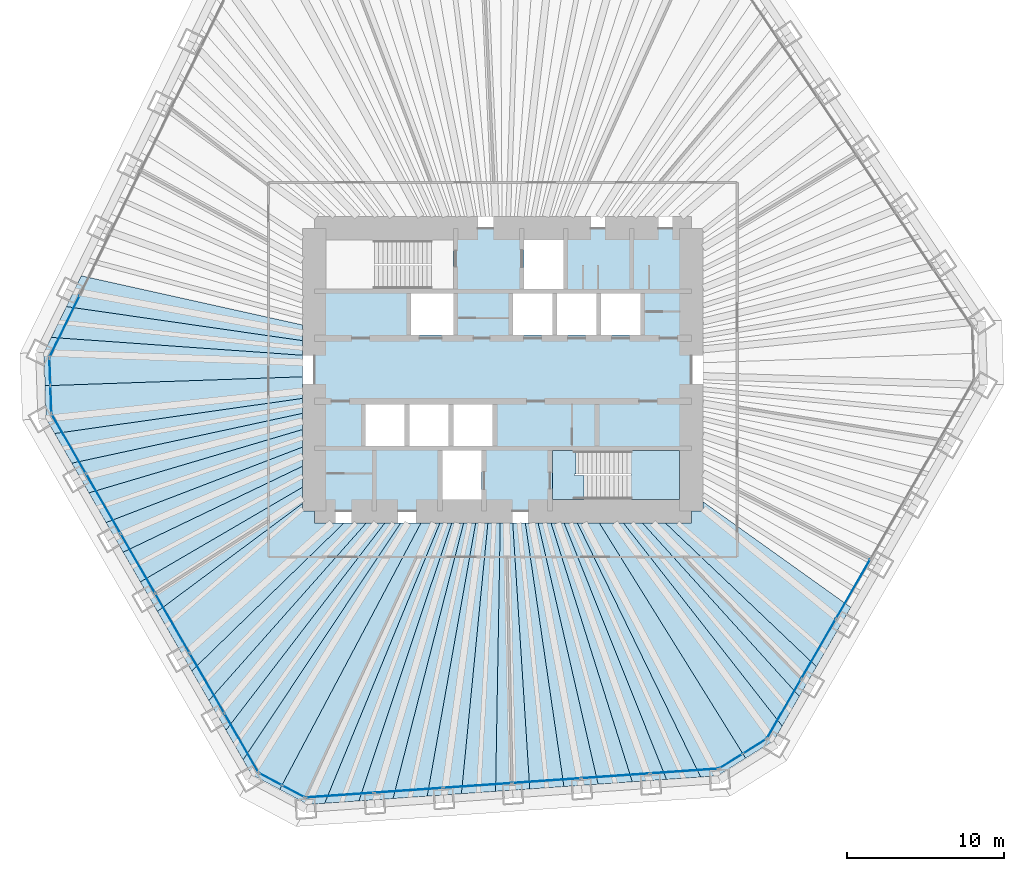
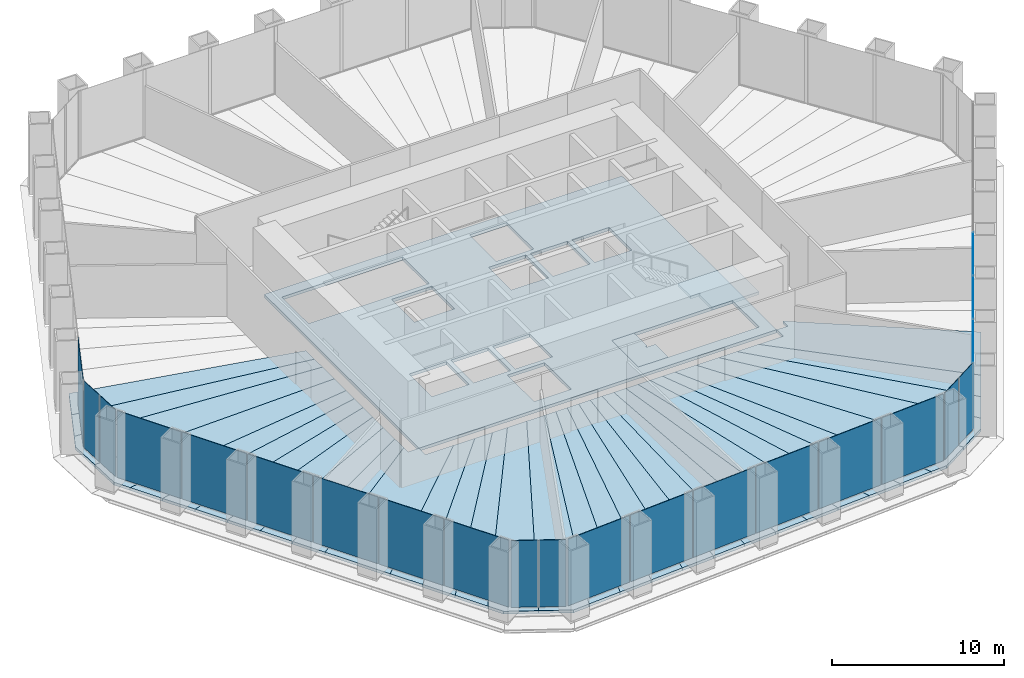
# One storey, part 8 of 14: 35 slabs, 22 plates, 8 elements without a shape of their own.
"""IFC4 building model written with IfcOpenShell, lengths in metres."""

from ifc_helpers import new_model, si_unit, direction, frame, origin, origin_2d, place, context, subcontext, project, spatial, polyline, rectangle, outline, extrude, material, layer, layer_set, type_object, element, aggregate, save


model = new_model("IFC4")

# Units and contexts
model_context = context("Model", 3, precision=1e-05, world=origin(), true_north=direction((0.0, 1.0)))
body_context = subcontext(model_context, "Body", "Model", "MODEL_VIEW")
ifc_project = project(units=[si_unit("LENGTHUNIT", "METRE"), si_unit("AREAUNIT", "SQUARE_METRE"), si_unit("VOLUMEUNIT", "CUBIC_METRE"), si_unit("PLANEANGLEUNIT", "RADIAN"), si_unit("MASSUNIT", "GRAM", prefix="KILO")], contexts=[model_context])

# Site, building, storey
site_placement = place(None, origin())
site = spatial("IfcSite", under=ifc_project, at=site_placement, CompositionType="ELEMENT")
building_placement = place(site_placement, origin())
building = spatial("IfcBuilding", under=site, at=building_placement, Name="Qingtian Harvest Tower", CompositionType="ELEMENT")
storey_placement = place(building_placement, frame((0.0, 0.0, 57.0)))
storey = spatial("IfcBuildingStorey", under=building, at=storey_placement, Name="L11", CompositionType="ELEMENT", Elevation=57.0)

# Slabs
ifc_material_1 = material(Name="Concrete fc' 35 MPa", Category="concrete")
ifc_layer_1 = layer(ifc_material_1, 0.199951171875)
ifc_layer_set_1 = layer_set([ifc_layer_1], Name="Composite floor slab FS20 200")
slab_type_1 = type_object("IfcSlabType", Name="Composite floor slab FS20 200", PredefinedType="FLOOR", material=ifc_layer_set_1)
slab_1_placement = place(storey_placement, frame((0.0, 0.0, -0.199951171875)))
element("IfcSlab", 1, at=slab_1_placement, inside=storey, type_object=slab_type_1, Name="Floor slab L11 panel D01", PredefinedType="FLOOR", context=body_context, shape_type="SweptSolid", body=[
    extrude(outline(polyline([(-29.157470703125, -1.018310546875), (-12.75, -0.447509765625), (-12.75, -1.822998046875), (-28.548583984375, -4.062255859375), (-29.08349609375, -3.135986328125), (-29.157470703125, -1.018310546875)])), origin(), (0.0, 0.0, 1.0), 0.199951171875),
])
slab_2_placement = place(storey_placement, frame((0.0, 0.0, -0.199951171875)))
element("IfcSlab", 2, at=slab_2_placement, inside=storey, type_object=slab_type_1, Name="Floor slab L11 panel D02", PredefinedType="FLOOR", context=body_context, shape_type="SweptSolid", body=[
    extrude(outline(polyline([(-12.75, -2.773681640625), (-27.45751953125, -5.9521484375), (-28.548583984375, -4.062255859375), (-12.75, -1.822998046875), (-12.75, -2.773681640625)])), origin(), (0.0, 0.0, 1.0), 0.199951171875),
])
slab_3_placement = place(storey_placement, frame((0.0, 0.0, -0.199951171875)))
element("IfcSlab", 3, at=slab_3_placement, inside=storey, type_object=slab_type_1, Name="Floor slab L11 panel D03", PredefinedType="FLOOR", context=body_context, shape_type="SweptSolid", body=[
    extrude(outline(polyline([(-12.75, -3.80322265625), (-26.366455078125, -7.842041015625), (-27.45751953125, -5.9521484375), (-12.75, -2.773681640625), (-12.75, -3.80322265625)])), origin(), (0.0, 0.0, 1.0), 0.199951171875),
])
slab_4_placement = place(storey_placement, frame((0.0, 0.0, -0.199951171875)))
element("IfcSlab", 4, at=slab_4_placement, inside=storey, type_object=slab_type_1, Name="Floor slab L11 panel D04", PredefinedType="FLOOR", context=body_context, shape_type="SweptSolid", body=[
    extrude(outline(polyline([(-12.75, -4.921875), (-25.275146484375, -9.732177734375), (-26.366455078125, -7.842041015625), (-12.75, -3.80322265625), (-12.75, -4.921875)])), origin(), (0.0, 0.0, 1.0), 0.199951171875),
])
slab_5_placement = place(storey_placement, frame((0.0, 0.0, -0.199951171875)))
element("IfcSlab", 5, at=slab_5_placement, inside=storey, type_object=slab_type_1, Name="Floor slab L11 panel D05", PredefinedType="FLOOR", context=body_context, shape_type="SweptSolid", body=[
    extrude(outline(polyline([(-12.75, -6.141357421875), (-24.18408203125, -11.6220703125), (-25.275146484375, -9.732177734375), (-12.75, -4.921875), (-12.75, -6.141357421875)])), origin(), (0.0, 0.0, 1.0), 0.199951171875),
])
slab_6_placement = place(storey_placement, frame((0.0, 0.0, -0.199951171875)))
element("IfcSlab", 6, at=slab_6_placement, inside=storey, type_object=slab_type_1, Name="Floor slab L11 panel D06", PredefinedType="FLOOR", context=body_context, shape_type="SweptSolid", body=[
    extrude(outline(polyline([(-12.75, -7.4765625), (-23.0927734375, -13.511962890625), (-24.18408203125, -11.6220703125), (-12.75, -6.141357421875), (-12.75, -7.4765625)])), origin(), (0.0, 0.0, 1.0), 0.199951171875),
])
slab_7_placement = place(storey_placement, frame((0.0, 0.0, -0.199951171875)))
element("IfcSlab", 7, at=slab_7_placement, inside=storey, type_object=slab_type_1, Name="Floor slab L11 panel D07", PredefinedType="FLOOR", context=body_context, shape_type="SweptSolid", body=[
    extrude(outline(polyline([(-12.75, -8.512451171875), (-22.00537109375, -15.3955078125), (-23.0927734375, -13.511962890625), (-12.75, -7.4765625), (-12.75, -8.512451171875)])), origin(), (0.0, 0.0, 1.0), 0.199951171875),
])
slab_8_placement = place(storey_placement, frame((0.0, 0.0, -0.199951171875)))
element("IfcSlab", 8, at=slab_8_placement, inside=storey, type_object=slab_type_1, Name="Floor slab L11 panel D09", PredefinedType="FLOOR", context=body_context, shape_type="SweptSolid", body=[
    extrude(outline(polyline([(-19.81982421875, -19.18115234375), (-22.00537109375, -15.3955078125), (-12.75, -8.512451171875), (-12.75, -9.0), (-12.0, -9.0), (-12.0, -9.75), (-10.1123046875, -9.75), (-19.81982421875, -19.18115234375)])), origin(), (0.0, 0.0, 1.0), 0.199951171875),
])
slab_9_placement = place(storey_placement, frame((0.0, 0.0, -0.199951171875)))
element("IfcSlab", 9, at=slab_9_placement, inside=storey, type_object=slab_type_1, Name="Floor slab L11 panel D10", PredefinedType="FLOOR", context=body_context, shape_type="SweptSolid", body=[
    extrude(outline(polyline([(-8.694580078125, -9.75), (-18.728515625, -21.0712890625), (-19.81982421875, -19.18115234375), (-10.1123046875, -9.75), (-8.694580078125, -9.75)])), origin(), (0.0, 0.0, 1.0), 0.199951171875),
])
slab_10_placement = place(storey_placement, frame((0.0, 0.0, -0.199951171875)))
element("IfcSlab", 10, at=slab_10_placement, inside=storey, type_object=slab_type_1, Name="Floor slab L11 panel D11", PredefinedType="FLOOR", context=body_context, shape_type="SweptSolid", body=[
    extrude(outline(polyline([(-7.511474609375, -9.75), (-17.63720703125, -22.961181640625), (-18.728515625, -21.0712890625), (-8.694580078125, -9.75), (-7.511474609375, -9.75)])), origin(), (0.0, 0.0, 1.0), 0.199951171875),
])
slab_11_placement = place(storey_placement, frame((0.0, 0.0, -0.199951171875)))
element("IfcSlab", 11, at=slab_11_placement, inside=storey, type_object=slab_type_1, Name="Floor slab L11 panel D12", PredefinedType="FLOOR", context=body_context, shape_type="SweptSolid", body=[
    extrude(outline(polyline([(-6.509033203125, -9.75), (-16.546142578125, -24.851318359375), (-17.63720703125, -22.961181640625), (-7.511474609375, -9.75), (-6.509033203125, -9.75)])), origin(), (0.0, 0.0, 1.0), 0.199951171875),
])
slab_12_placement = place(storey_placement, frame((0.0, 0.0, -0.199951171875)))
element("IfcSlab", 12, at=slab_12_placement, inside=storey, type_object=slab_type_1, Name="Floor slab L11 panel D13", PredefinedType="FLOOR", context=body_context, shape_type="SweptSolid", body=[
    extrude(outline(polyline([(-6.509033203125, -9.75), (-5.213623046875, -9.75), (-14.214599609375, -26.73291015625), (-16.01123046875, -25.777587890625), (-16.546142578125, -24.851318359375), (-6.509033203125, -9.75)])), origin(), (0.0, 0.0, 1.0), 0.199951171875),
])
slab_13_placement = place(storey_placement, frame((0.0, 0.0, -0.199951171875)))
element("IfcSlab", 13, at=slab_13_placement, inside=storey, type_object=slab_type_1, Name="Floor slab L11 panel D14", PredefinedType="FLOOR", context=body_context, shape_type="SweptSolid", body=[
    extrude(outline(polyline([(-5.213623046875, -9.75), (-4.006591796875, -9.75), (-11.350341796875, -27.614013671875), (-12.417236328125, -27.688720703125), (-14.214599609375, -26.73291015625), (-5.213623046875, -9.75)])), origin(), (0.0, 0.0, 1.0), 0.199951171875),
])
slab_14_placement = place(storey_placement, frame((0.0, 0.0, -0.199951171875)))
element("IfcSlab", 14, at=slab_14_placement, inside=storey, type_object=slab_type_1, Name="Floor slab L11 panel D15", PredefinedType="FLOOR", context=body_context, shape_type="SweptSolid", body=[
    extrude(outline(polyline([(-3.255859375, -9.75), (-9.17333984375, -27.4619140625), (-11.350341796875, -27.614013671875), (-4.006591796875, -9.75), (-3.255859375, -9.75)])), origin(), (0.0, 0.0, 1.0), 0.199951171875),
])
slab_15_placement = place(storey_placement, frame((0.0, 0.0, -0.199951171875)))
element("IfcSlab", 15, at=slab_15_placement, inside=storey, type_object=slab_type_1, Name="Floor slab L11 panel D16", PredefinedType="FLOOR", context=body_context, shape_type="SweptSolid", body=[
    extrude(outline(polyline([(-2.496826171875, -9.75), (-6.996337890625, -27.3095703125), (-9.17333984375, -27.4619140625), (-3.255859375, -9.75), (-2.496826171875, -9.75)])), origin(), (0.0, 0.0, 1.0), 0.199951171875),
])
slab_16_placement = place(storey_placement, frame((0.0, 0.0, -0.199951171875)))
element("IfcSlab", 16, at=slab_16_placement, inside=storey, type_object=slab_type_1, Name="Floor slab L11 panel D17", PredefinedType="FLOOR", context=body_context, shape_type="SweptSolid", body=[
    extrude(outline(polyline([(-1.729248046875, -9.75), (-4.8193359375, -27.1572265625), (-6.996337890625, -27.3095703125), (-2.496826171875, -9.75), (-1.729248046875, -9.75)])), origin(), (0.0, 0.0, 1.0), 0.199951171875),
])
slab_17_placement = place(storey_placement, frame((0.0, 0.0, -0.199951171875)))
element("IfcSlab", 17, at=slab_17_placement, inside=storey, type_object=slab_type_1, Name="Floor slab L11 panel D18", PredefinedType="FLOOR", context=body_context, shape_type="SweptSolid", body=[
    extrude(outline(polyline([(-0.952880859375, -9.75), (-2.642333984375, -27.005126953125), (-4.8193359375, -27.1572265625), (-1.729248046875, -9.75), (-0.952880859375, -9.75)])), origin(), (0.0, 0.0, 1.0), 0.199951171875),
])
slab_18_placement = place(storey_placement, frame((0.0, 0.0, -0.199951171875)))
element("IfcSlab", 18, at=slab_18_placement, inside=storey, type_object=slab_type_1, Name="Floor slab L11 panel D19", PredefinedType="FLOOR", context=body_context, shape_type="SweptSolid", body=[
    extrude(outline(polyline([(-0.16796875, -9.75), (-0.46533203125, -26.852783203125), (-2.642333984375, -27.005126953125), (-0.952880859375, -9.75), (-0.16796875, -9.75)])), origin(), (0.0, 0.0, 1.0), 0.199951171875),
])
slab_19_placement = place(storey_placement, frame((0.0, 0.0, -0.199951171875)))
element("IfcSlab", 19, at=slab_19_placement, inside=storey, type_object=slab_type_1, Name="Floor slab L11 panel D20", PredefinedType="FLOOR", context=body_context, shape_type="SweptSolid", body=[
    extrude(outline(polyline([(0.626220703125, -9.75), (1.711669921875, -26.70068359375), (-0.46533203125, -26.852783203125), (-0.16796875, -9.75), (0.626220703125, -9.75)])), origin(), (0.0, 0.0, 1.0), 0.199951171875),
])
slab_20_placement = place(storey_placement, frame((0.0, 0.0, -0.199951171875)))
element("IfcSlab", 20, at=slab_20_placement, inside=storey, type_object=slab_type_1, Name="Floor slab L11 panel D21", PredefinedType="FLOOR", context=body_context, shape_type="SweptSolid", body=[
    extrude(outline(polyline([(1.42919921875, -9.75), (3.888671875, -26.54833984375), (1.711669921875, -26.70068359375), (0.626220703125, -9.75), (1.42919921875, -9.75)])), origin(), (0.0, 0.0, 1.0), 0.199951171875),
])
slab_21_placement = place(storey_placement, frame((0.0, 0.0, -0.199951171875)))
element("IfcSlab", 21, at=slab_21_placement, inside=storey, type_object=slab_type_1, Name="Floor slab L11 panel D22", PredefinedType="FLOOR", context=body_context, shape_type="SweptSolid", body=[
    extrude(outline(polyline([(2.24169921875, -9.75), (6.065673828125, -26.396240234375), (3.888671875, -26.54833984375), (1.42919921875, -9.75), (2.24169921875, -9.75)])), origin(), (0.0, 0.0, 1.0), 0.199951171875),
])
slab_22_placement = place(storey_placement, frame((0.0, 0.0, -0.199951171875)))
element("IfcSlab", 22, at=slab_22_placement, inside=storey, type_object=slab_type_1, Name="Floor slab L11 panel D23", PredefinedType="FLOOR", context=body_context, shape_type="SweptSolid", body=[
    extrude(outline(polyline([(3.0634765625, -9.75), (8.24267578125, -26.243896484375), (6.065673828125, -26.396240234375), (2.24169921875, -9.75), (3.0634765625, -9.75)])), origin(), (0.0, 0.0, 1.0), 0.199951171875),
])
slab_23_placement = place(storey_placement, frame((0.0, 0.0, -0.199951171875)))
element("IfcSlab", 23, at=slab_23_placement, inside=storey, type_object=slab_type_1, Name="Floor slab L11 panel D24", PredefinedType="FLOOR", context=body_context, shape_type="SweptSolid", body=[
    extrude(outline(polyline([(3.894775390625, -9.75), (10.419677734375, -26.091796875), (8.24267578125, -26.243896484375), (3.0634765625, -9.75), (3.894775390625, -9.75)])), origin(), (0.0, 0.0, 1.0), 0.199951171875),
])
slab_24_placement = place(storey_placement, frame((0.0, 0.0, -0.199951171875)))
element("IfcSlab", 24, at=slab_24_placement, inside=storey, type_object=slab_type_1, Name="Floor slab L11 panel D25", PredefinedType="FLOOR", context=body_context, shape_type="SweptSolid", body=[
    extrude(outline(polyline([(4.736083984375, -9.75), (12.5966796875, -25.939453125), (10.419677734375, -26.091796875), (3.894775390625, -9.75), (4.736083984375, -9.75)])), origin(), (0.0, 0.0, 1.0), 0.199951171875),
])
slab_25_placement = place(storey_placement, frame((0.0, 0.0, -0.199951171875)))
element("IfcSlab", 25, at=slab_25_placement, inside=storey, type_object=slab_type_1, Name="Floor slab L11 panel D26", PredefinedType="FLOOR", context=body_context, shape_type="SweptSolid", body=[
    extrude(outline(polyline([(4.736083984375, -9.75), (6.136474609375, -9.75), (15.4609375, -24.74169921875), (13.663330078125, -25.864990234375), (12.5966796875, -25.939453125), (4.736083984375, -9.75)])), origin(), (0.0, 0.0, 1.0), 0.199951171875),
])
slab_26_placement = place(storey_placement, frame((0.0, 0.0, -0.199951171875)))
element("IfcSlab", 26, at=slab_26_placement, inside=storey, type_object=slab_type_1, Name="Floor slab L11 panel D27", PredefinedType="FLOOR", context=body_context, shape_type="SweptSolid", body=[
    extrude(outline(polyline([(6.136474609375, -9.75), (7.66748046875, -9.75), (17.79248046875, -22.692626953125), (17.257568359375, -23.618896484375), (15.4609375, -24.74169921875), (6.136474609375, -9.75)])), origin(), (0.0, 0.0, 1.0), 0.199951171875),
])
slab_27_placement = place(storey_placement, frame((0.0, 0.0, -0.199951171875)))
element("IfcSlab", 27, at=slab_27_placement, inside=storey, type_object=slab_type_1, Name="Floor slab L11 panel D28", PredefinedType="FLOOR", context=body_context, shape_type="SweptSolid", body=[
    extrude(outline(polyline([(8.88037109375, -9.75), (18.883544921875, -20.802734375), (17.79248046875, -22.692626953125), (7.66748046875, -9.75), (8.88037109375, -9.75)])), origin(), (0.0, 0.0, 1.0), 0.199951171875),
])
slab_28_placement = place(storey_placement, frame((0.0, 0.0, -0.199951171875)))
element("IfcSlab", 28, at=slab_28_placement, inside=storey, type_object=slab_type_1, Name="Floor slab L11 panel D29", PredefinedType="FLOOR", context=body_context, shape_type="SweptSolid", body=[
    extrude(outline(polyline([(10.337158203125, -9.75), (19.974853515625, -18.91259765625), (18.883544921875, -20.802734375), (8.88037109375, -9.75), (10.337158203125, -9.75)])), origin(), (0.0, 0.0, 1.0), 0.199951171875),
])
slab_29_placement = place(storey_placement, frame((0.0, 0.0, -0.199951171875)))
element("IfcSlab", 29, at=slab_29_placement, inside=storey, type_object=slab_type_1, Name="Floor slab L11 panel D31", PredefinedType="FLOOR", context=body_context, shape_type="SweptSolid", body=[
    extrude(outline(polyline([(12.75, -8.4091796875), (22.159423828125, -15.128662109375), (19.974853515625, -18.91259765625), (10.337158203125, -9.75), (12.0, -9.75), (12.0, -9.0), (12.75, -9.0), (12.75, -8.4091796875)])), origin(), (0.0, 0.0, 1.0), 0.199951171875),
])
slab_30_placement = place(storey_placement, frame((0.0, 0.0, -0.199951171875)))
element("IfcSlab", 30, at=slab_30_placement, inside=storey, type_object=slab_type_1, Name="Floor slab L11 panel D76", PredefinedType="FLOOR", context=body_context, shape_type="SweptSolid", body=[
    extrude(outline(polyline([(-12.75, 1.8525390625), (-27.805908203125, 4.022216796875), (-26.84912109375, 5.98388671875), (-12.75, 2.8505859375), (-12.75, 1.8525390625)])), origin(), (0.0, 0.0, 1.0), 0.199951171875),
])
slab_31_placement = place(storey_placement, frame((0.0, 0.0, -0.199951171875)))
element("IfcSlab", 31, at=slab_31_placement, inside=storey, type_object=slab_type_1, Name="Floor slab L11 panel D77", PredefinedType="FLOOR", context=body_context, shape_type="SweptSolid", body=[
    extrude(outline(polyline([(-12.75, 0.9208984375), (-28.762451171875, 2.060791015625), (-27.805908203125, 4.022216796875), (-12.75, 1.8525390625), (-12.75, 0.9208984375)])), origin(), (0.0, 0.0, 1.0), 0.199951171875),
])
slab_32_placement = place(storey_placement, frame((0.0, 0.0, -0.199951171875)))
element("IfcSlab", 32, at=slab_32_placement, inside=storey, type_object=slab_type_1, Name="Floor slab L11 panel D78", PredefinedType="FLOOR", context=body_context, shape_type="SweptSolid", body=[
    extrude(outline(polyline([(-12.75, 0.9208984375), (-12.75, -0.447509765625), (-29.157470703125, -1.018310546875), (-29.2314453125, 1.099609375), (-28.762451171875, 2.060791015625), (-12.75, 0.9208984375)])), origin(), (0.0, 0.0, 1.0), 0.199951171875),
])
ifc_material_2 = material(Name="Concrete fc' 35 MPa", Category="concrete")
ifc_layer_2 = layer(ifc_material_2, 0.219970703125)
ifc_layer_set_2 = layer_set([ifc_layer_2], Name="Core floor slab CS22 220")
slab_type_2 = type_object("IfcSlabType", Name="Core floor slab CS22 220", PredefinedType="FLOOR", material=ifc_layer_set_2)
slab_33_placement = place(storey_placement, frame((0.0, 0.0, -0.219970703125)))
element("IfcSlab", 33, at=slab_33_placement, inside=storey, type_object=slab_type_2, Name="Core floor slab L11", PredefinedType="FLOOR", context=body_context, shape_type="SweptSolid", body=[
    extrude(outline(polyline([(-12.0, -9.0), (12.0, -9.0), (12.0, 9.0), (-12.0, 9.0), (-12.0, -9.0)]), holes=[polyline([(-11.25, 5.14990234375), (-3.14990234375, 5.14990234375), (-3.14990234375, 8.25), (-11.25, 8.25), (-11.25, 5.14990234375)]), polyline([(3.14990234375, -8.25), (11.25, -8.25), (11.25, -5.14990234375), (3.14990234375, -5.14990234375), (3.14990234375, -8.25)]), polyline([(1.35009765625, 5.14990234375), (3.85009765625, 5.14990234375), (3.85009765625, 8.25), (1.35009765625, 8.25), (1.35009765625, 5.14990234375)]), polyline([(-3.85009765625, -8.25), (-1.35009765625, -8.25), (-1.35009765625, -5.14990234375), (-3.85009765625, -5.14990234375), (-3.85009765625, -8.25)]), polyline([(-5.85009765625, 2.199951171875), (-3.14990234375, 2.199951171875), (-3.14990234375, 4.85009765625), (-5.85009765625, 4.85009765625), (-5.85009765625, 2.199951171875)]), polyline([(0.64990234375, 2.199951171875), (3.14990234375, 2.199951171875), (3.14990234375, 4.85009765625), (0.64990234375, 4.85009765625), (0.64990234375, 2.199951171875)]), polyline([(3.449951171875, 2.199951171875), (5.949951171875, 2.199951171875), (5.949951171875, 4.85009765625), (3.449951171875, 4.85009765625), (3.449951171875, 2.199951171875)]), polyline([(6.25, 2.199951171875), (8.75, 2.199951171875), (8.75, 4.85009765625), (6.25, 4.85009765625), (6.25, 2.199951171875)]), polyline([(-8.75, -4.85009765625), (-6.25, -4.85009765625), (-6.25, -2.199951171875), (-8.75, -2.199951171875), (-8.75, -4.85009765625)]), polyline([(-5.949951171875, -4.85009765625), (-3.449951171875, -4.85009765625), (-3.449951171875, -2.199951171875), (-5.949951171875, -2.199951171875), (-5.949951171875, -4.85009765625)]), polyline([(-3.14990234375, -4.85009765625), (-0.64990234375, -4.85009765625), (-0.64990234375, -2.199951171875), (-3.14990234375, -2.199951171875), (-3.14990234375, -4.85009765625)])]), origin(), (0.0, 0.0, 1.0), 0.219970703125),
])

# Curtain wall, plates
ifc_material_3 = material(Name="Bronze-anodised aluminium curtain wall", Category="aluminium")
curtain_wall_type = type_object("IfcCurtainWallType", Name="Curtain wall CW2 farm reception", PredefinedType="USERDEFINED", material=ifc_material_3)
curtain_wall_1_placement = place(storey_placement, origin())
curtain_wall_1 = element("IfcCurtainWall", 34, at=curtain_wall_1_placement, inside=storey, type_object=curtain_wall_type, Name="Curtain wall CW2 L11 SE0-5", ObjectType="RECESSED CURTAIN WALL", PredefinedType="USERDEFINED")
ifc_material_4 = material(Name="Bronze-tinted laminated insulating glass", Category="glass")
ifc_layer_3 = layer(ifc_material_4, 0.030029296875)
ifc_layer_set_3 = layer_set([ifc_layer_3], Name="Glazed panel CWP tinted IGU")
plate_type = type_object("IfcPlateType", Name="Glazed panel CWP tinted IGU", PredefinedType="CURTAIN_PANEL", material=ifc_layer_set_3)
plate_1_placement = place(storey_placement, frame((22.30419921875, -13.968017578125, 0.06494140625), z_axis=(0.0, 0.0, 1.0), x_axis=(-0.5, -0.866025403784, 0.0)))
plate_1 = element("IfcPlate", 35, at=plate_1_placement, type_object=plate_type, Name="CW2 panel 4.1", PredefinedType="CURTAIN_PANEL", context=body_context, shape_type="SweptSolid", body=[
    extrude(rectangle(XDim=4.339599609375, YDim=0.030029296875, at=origin_2d()), origin(), (0.0, 0.0, 1.0), 4.735107421875),
])
plate_2_placement = place(storey_placement, frame((20.101806640625, -17.782470703125, 0.06494140625), z_axis=(0.0, 0.0, 1.0), x_axis=(-0.5, -0.866025403784, 0.0)))
plate_2 = element("IfcPlate", 36, at=plate_2_placement, type_object=plate_type, Name="CW2 panel 5.1", PredefinedType="CURTAIN_PANEL", context=body_context, shape_type="SweptSolid", body=[
    extrude(rectangle(XDim=4.339599609375, YDim=0.030029296875, at=origin_2d()), origin(), (0.0, 0.0, 1.0), 4.735107421875),
])
plate_3_placement = place(storey_placement, frame((17.90771484375, -21.5830078125, 0.06494140625), z_axis=(0.0, 0.0, 1.0), x_axis=(-0.5, -0.866025403784, 0.0)))
plate_3 = element("IfcPlate", 37, at=plate_3_placement, type_object=plate_type, Name="CW2 panel 6.1", PredefinedType="CURTAIN_PANEL", context=body_context, shape_type="SweptSolid", body=[
    extrude(rectangle(XDim=4.30712890625, YDim=0.030029296875, at=origin_2d()), origin(), (0.0, 0.0, 1.0), 4.735107421875),
])
aggregate(curtain_wall_1, [plate_1, plate_2, plate_3])

curtain_wall_2_placement = place(storey_placement, origin())
curtain_wall_2 = element("IfcCurtainWall", 38, at=curtain_wall_2_placement, inside=storey, type_object=curtain_wall_type, Name="Curtain wall CW2 L11 SEC", ObjectType="RECESSED CURTAIN WALL", PredefinedType="USERDEFINED")
plate_4_placement = place(storey_placement, frame((16.025390625, -23.9873046875, 0.06494140625), z_axis=(0.0, 0.0, 1.0), x_axis=(-0.848048096156, -0.529919264233, 0.0)))
plate_4 = element("IfcPlate", 39, at=plate_4_placement, type_object=plate_type, Name="CW2 panel 1.1", PredefinedType="CURTAIN_PANEL", context=body_context, shape_type="SweptSolid", body=[
    extrude(rectangle(XDim=1.69287109375, YDim=0.030029296875, at=origin_2d()), origin(), (0.0, 0.0, 1.0), 4.735107421875),
])
plate_5_placement = place(storey_placement, frame((14.53466796875, -24.9189453125, 0.06494140625), z_axis=(0.0, 0.0, 1.0), x_axis=(-0.848048096156, -0.529919264233, 0.0)))
plate_5 = element("IfcPlate", 40, at=plate_5_placement, type_object=plate_type, Name="CW2 panel 2.1", PredefinedType="CURTAIN_PANEL", context=body_context, shape_type="SweptSolid", body=[
    extrude(rectangle(XDim=1.69287109375, YDim=0.030029296875, at=origin_2d()), origin(), (0.0, 0.0, 1.0), 4.735107421875),
])
aggregate(curtain_wall_2, [plate_4, plate_5])

curtain_wall_3_placement = place(storey_placement, origin())
curtain_wall_3 = element("IfcCurtainWall", 41, at=curtain_wall_3_placement, inside=storey, type_object=curtain_wall_type, Name="Curtain wall CW2 L11 S0-5", ObjectType="RECESSED CURTAIN WALL", PredefinedType="USERDEFINED")
plate_6_placement = place(storey_placement, frame((11.548583984375, -25.556640625, 0.06494140625), z_axis=(0.0, 0.0, 1.0), x_axis=(-0.99756405026, -0.069756473744, 0.0)))
plate_6 = element("IfcPlate", 42, at=plate_6_placement, type_object=plate_type, Name="CW2 panel 1.1", PredefinedType="CURTAIN_PANEL", context=body_context, shape_type="SweptSolid", body=[
    extrude(rectangle(XDim=4.30712890625, YDim=0.030029296875, at=origin_2d()), origin(), (0.0, 0.0, 1.0), 4.735107421875),
])
plate_7_placement = place(storey_placement, frame((7.1708984375, -25.86279296875, 0.06494140625), z_axis=(0.0, 0.0, 1.0), x_axis=(-0.99756405026, -0.069756473744, 0.0)))
plate_7 = element("IfcPlate", 43, at=plate_7_placement, type_object=plate_type, Name="CW2 panel 2.1", PredefinedType="CURTAIN_PANEL", context=body_context, shape_type="SweptSolid", body=[
    extrude(rectangle(XDim=4.339599609375, YDim=0.030029296875, at=origin_2d()), origin(), (0.0, 0.0, 1.0), 4.735107421875),
])
plate_8_placement = place(storey_placement, frame((2.77685546875, -26.169921875, 0.06494140625), z_axis=(0.0, 0.0, 1.0), x_axis=(-0.99756405026, -0.069756473744, 0.0)))
plate_8 = element("IfcPlate", 44, at=plate_8_placement, type_object=plate_type, Name="CW2 panel 3.1", PredefinedType="CURTAIN_PANEL", context=body_context, shape_type="SweptSolid", body=[
    extrude(rectangle(XDim=4.339599609375, YDim=0.030029296875, at=origin_2d()), origin(), (0.0, 0.0, 1.0), 4.735107421875),
])
plate_9_placement = place(storey_placement, frame((-1.616943359375, -26.477294921875, 0.06494140625), z_axis=(0.0, 0.0, 1.0), x_axis=(-0.99756405026, -0.069756473744, 0.0)))
plate_9 = element("IfcPlate", 45, at=plate_9_placement, type_object=plate_type, Name="CW2 panel 4.1", PredefinedType="CURTAIN_PANEL", context=body_context, shape_type="SweptSolid", body=[
    extrude(rectangle(XDim=4.339599609375, YDim=0.030029296875, at=origin_2d()), origin(), (0.0, 0.0, 1.0), 4.735107421875),
])
plate_10_placement = place(storey_placement, frame((-6.0107421875, -26.784423828125, 0.06494140625), z_axis=(0.0, 0.0, 1.0), x_axis=(-0.99756405026, -0.069756473744, 0.0)))
plate_10 = element("IfcPlate", 46, at=plate_10_placement, type_object=plate_type, Name="CW2 panel 5.1", PredefinedType="CURTAIN_PANEL", context=body_context, shape_type="SweptSolid", body=[
    extrude(rectangle(XDim=4.339599609375, YDim=0.030029296875, at=origin_2d()), origin(), (0.0, 0.0, 1.0), 4.735107421875),
])
plate_11_placement = place(storey_placement, frame((-10.388427734375, -27.090576171875, 0.06494140625), z_axis=(0.0, 0.0, 1.0), x_axis=(-0.99756405026, -0.069756473744, 0.0)))
plate_11 = element("IfcPlate", 47, at=plate_11_placement, type_object=plate_type, Name="CW2 panel 6.1", PredefinedType="CURTAIN_PANEL", context=body_context, shape_type="SweptSolid", body=[
    extrude(rectangle(XDim=4.30712890625, YDim=0.030029296875, at=origin_2d()), origin(), (0.0, 0.0, 1.0), 4.735107421875),
])
aggregate(curtain_wall_3, [plate_6, plate_7, plate_8, plate_9, plate_10, plate_11])

curtain_wall_4_placement = place(storey_placement, origin())
curtain_wall_4 = element("IfcCurtainWall", 48, at=curtain_wall_4_placement, inside=storey, type_object=curtain_wall_type, Name="Curtain wall CW2 L11 SC", ObjectType="RECESSED CURTAIN WALL", PredefinedType="USERDEFINED")
plate_12_placement = place(storey_placement, frame((-13.350830078125, -26.84716796875, 0.06494140625), z_axis=(0.0, 0.0, 1.0), x_axis=(-0.882947592859, 0.469471562786, 0.0)))
plate_12 = element("IfcPlate", 49, at=plate_12_placement, type_object=plate_type, Name="CW2 panel 1.1", PredefinedType="CURTAIN_PANEL", context=body_context, shape_type="SweptSolid", body=[
    extrude(rectangle(XDim=1.56689453125, YDim=0.030029296875, at=origin_2d()), origin(), (0.0, 0.0, 1.0), 4.735107421875),
])
plate_13_placement = place(storey_placement, frame((-14.79150390625, -26.0810546875, 0.06494140625), z_axis=(0.0, 0.0, 1.0), x_axis=(-0.882947592859, 0.469471562786, 0.0)))
plate_13 = element("IfcPlate", 50, at=plate_13_placement, type_object=plate_type, Name="CW2 panel 2.1", PredefinedType="CURTAIN_PANEL", context=body_context, shape_type="SweptSolid", body=[
    extrude(rectangle(XDim=1.56689453125, YDim=0.030029296875, at=origin_2d()), origin(), (0.0, 0.0, 1.0), 4.735107421875),
])
aggregate(curtain_wall_4, [plate_12, plate_13])

curtain_wall_5_placement = place(storey_placement, origin())
curtain_wall_5 = element("IfcCurtainWall", 51, at=curtain_wall_5_placement, inside=storey, type_object=curtain_wall_type, Name="Curtain wall CW2 L11 SW0-5", ObjectType="RECESSED CURTAIN WALL", PredefinedType="USERDEFINED")
plate_14_placement = place(storey_placement, frame((-16.64990234375, -23.76123046875, 0.06494140625), z_axis=(0.0, 0.0, 1.0), x_axis=(-0.5, 0.866025403784, 0.0)))
plate_14 = element("IfcPlate", 52, at=plate_14_placement, type_object=plate_type, Name="CW2 panel 1.1", PredefinedType="CURTAIN_PANEL", context=body_context, shape_type="SweptSolid", body=[
    extrude(rectangle(XDim=4.30712890625, YDim=0.030029296875, at=origin_2d()), origin(), (0.0, 0.0, 1.0), 4.735107421875),
])
plate_15_placement = place(storey_placement, frame((-18.84423828125, -19.9609375, 0.06494140625), z_axis=(0.0, 0.0, 1.0), x_axis=(-0.5, 0.866025403784, 0.0)))
plate_15 = element("IfcPlate", 53, at=plate_15_placement, type_object=plate_type, Name="CW2 panel 2.1", PredefinedType="CURTAIN_PANEL", context=body_context, shape_type="SweptSolid", body=[
    extrude(rectangle(XDim=4.339599609375, YDim=0.030029296875, at=origin_2d()), origin(), (0.0, 0.0, 1.0), 4.735107421875),
])
plate_16_placement = place(storey_placement, frame((-21.04638671875, -16.146484375, 0.06494140625), z_axis=(0.0, 0.0, 1.0), x_axis=(-0.5, 0.866025403784, 0.0)))
plate_16 = element("IfcPlate", 54, at=plate_16_placement, type_object=plate_type, Name="CW2 panel 3.1", PredefinedType="CURTAIN_PANEL", context=body_context, shape_type="SweptSolid", body=[
    extrude(rectangle(XDim=4.339599609375, YDim=0.030029296875, at=origin_2d()), origin(), (0.0, 0.0, 1.0), 4.735107421875),
])
plate_17_placement = place(storey_placement, frame((-23.248779296875, -12.33203125, 0.06494140625), z_axis=(0.0, 0.0, 1.0), x_axis=(-0.5, 0.866025403784, 0.0)))
plate_17 = element("IfcPlate", 55, at=plate_17_placement, type_object=plate_type, Name="CW2 panel 4.1", PredefinedType="CURTAIN_PANEL", context=body_context, shape_type="SweptSolid", body=[
    extrude(rectangle(XDim=4.339599609375, YDim=0.030029296875, at=origin_2d()), origin(), (0.0, 0.0, 1.0), 4.735107421875),
])
plate_18_placement = place(storey_placement, frame((-25.451171875, -8.517333984375, 0.06494140625), z_axis=(0.0, 0.0, 1.0), x_axis=(-0.5, 0.866025403784, 0.0)))
plate_18 = element("IfcPlate", 56, at=plate_18_placement, type_object=plate_type, Name="CW2 panel 5.1", PredefinedType="CURTAIN_PANEL", context=body_context, shape_type="SweptSolid", body=[
    extrude(rectangle(XDim=4.339599609375, YDim=0.030029296875, at=origin_2d()), origin(), (0.0, 0.0, 1.0), 4.735107421875),
])
plate_19_placement = place(storey_placement, frame((-27.645263671875, -4.717041015625, 0.06494140625), z_axis=(0.0, 0.0, 1.0), x_axis=(-0.5, 0.866025403784, 0.0)))
plate_19 = element("IfcPlate", 57, at=plate_19_placement, type_object=plate_type, Name="CW2 panel 6.1", PredefinedType="CURTAIN_PANEL", context=body_context, shape_type="SweptSolid", body=[
    extrude(rectangle(XDim=4.30712890625, YDim=0.030029296875, at=origin_2d()), origin(), (0.0, 0.0, 1.0), 4.735107421875),
])
aggregate(curtain_wall_5, [plate_14, plate_15, plate_16, plate_17, plate_18, plate_19])

curtain_wall_6_placement = place(storey_placement, origin())
curtain_wall_6 = element("IfcCurtainWall", 58, at=curtain_wall_6_placement, inside=storey, type_object=curtain_wall_type, Name="Curtain wall CW2 L11 SWC", ObjectType="RECESSED CURTAIN WALL", PredefinedType="USERDEFINED")
plate_20_placement = place(storey_placement, frame((-28.786376953125, -1.884765625, 0.06494140625), z_axis=(0.0, 0.0, 1.0), x_axis=(-0.034899496703, 0.999390827019, 0.0)))
plate_20 = element("IfcPlate", 59, at=plate_20_placement, type_object=plate_type, Name="CW2 panel 1.1", PredefinedType="CURTAIN_PANEL", context=body_context, shape_type="SweptSolid", body=[
    extrude(rectangle(XDim=1.69287109375, YDim=0.030029296875, at=origin_2d()), origin(), (0.0, 0.0, 1.0), 4.735107421875),
])
plate_21_placement = place(storey_placement, frame((-28.84765625, -0.1279296875, 0.06494140625), z_axis=(0.0, 0.0, 1.0), x_axis=(-0.034899496703, 0.999390827019, 0.0)))
plate_21 = element("IfcPlate", 60, at=plate_21_placement, type_object=plate_type, Name="CW2 panel 2.1", PredefinedType="CURTAIN_PANEL", context=body_context, shape_type="SweptSolid", body=[
    extrude(rectangle(XDim=1.69287109375, YDim=0.030029296875, at=origin_2d()), origin(), (0.0, 0.0, 1.0), 4.735107421875),
])
aggregate(curtain_wall_6, [plate_20, plate_21])

# Curtain wall, plate
curtain_wall_7_placement = place(storey_placement, origin())
curtain_wall_7 = element("IfcCurtainWall", 61, at=curtain_wall_7_placement, inside=storey, type_object=curtain_wall_type, Name="Curtain wall CW2 L11 NW0-5", ObjectType="RECESSED CURTAIN WALL", PredefinedType="USERDEFINED")
plate_22_placement = place(storey_placement, frame((-27.906982421875, 2.777099609375, 0.06494140625), z_axis=(0.0, 0.0, 1.0), x_axis=(0.438371146789, 0.898794046299, 0.0)))
plate_22 = element("IfcPlate", 62, at=plate_22_placement, type_object=plate_type, Name="CW2 panel 1.1", PredefinedType="CURTAIN_PANEL", context=body_context, shape_type="SweptSolid", body=[
    extrude(rectangle(XDim=4.30712890625, YDim=0.030029296875, at=origin_2d()), origin(), (0.0, 0.0, 1.0), 4.735107421875),
])
aggregate(curtain_wall_7, [plate_22])

# Stair, slabs
ifc_material_5 = material(Name="Concrete fc' 35 MPa", Category="concrete")
stair_type = type_object("IfcStairType", Name="Special stair ST2 5000", PredefinedType="HALF_TURN_STAIR", material=ifc_material_5)
stair_placement = place(storey_placement, origin())
stair = element("IfcStair", 63, at=stair_placement, inside=storey, type_object=stair_type, Name="Special stair S2 L11", PredefinedType="HALF_TURN_STAIR")
ifc_material_6 = material(Name="Concrete fc' 35 MPa", Category="concrete")
ifc_layer_4 = layer(ifc_material_6, 0.199951171875)
ifc_layer_set_4 = layer_set([ifc_layer_4], Name="Stair landing SL2 200")
slab_type_3 = type_object("IfcSlabType", Name="Stair landing SL2 200", PredefinedType="LANDING", material=ifc_layer_set_4)
slab_34_placement = place(storey_placement, frame((0.0, 0.0, -0.199951171875)))
slab_34 = element("IfcSlab", 64, at=slab_34_placement, type_object=slab_type_3, Name="S2 landing 1", PredefinedType="LANDING", context=body_context, shape_type="SweptSolid", body=[
    extrude(outline(polyline([(5.155029296875, -8.25), (3.14990234375, -8.25), (3.14990234375, -5.14990234375), (4.64990234375, -5.14990234375), (4.64990234375, -6.64990234375), (4.550048828125, -6.64990234375), (4.550048828125, -6.75), (5.155029296875, -6.75), (5.155029296875, -8.25)])), origin(), (0.0, 0.0, 1.0), 0.199951171875),
])
slab_35_placement = place(storey_placement, frame((0.0, 0.0, 2.300048828125)))
slab_35 = element("IfcSlab", 65, at=slab_35_placement, type_object=slab_type_3, Name="S2 landing 2", PredefinedType="LANDING", context=body_context, shape_type="SweptSolid", body=[
    extrude(outline(polyline([(8.090087890625, -8.25), (8.090087890625, -6.75), (8.18994140625, -6.75), (8.18994140625, -6.64990234375), (7.5849609375, -6.64990234375), (7.5849609375, -5.14990234375), (11.25, -5.14990234375), (11.25, -8.25), (8.090087890625, -8.25)])), origin(), (0.0, 0.0, 1.0), 0.199951171875),
])
aggregate(stair, [slab_34, slab_35])

save(model, "model.ifc")
